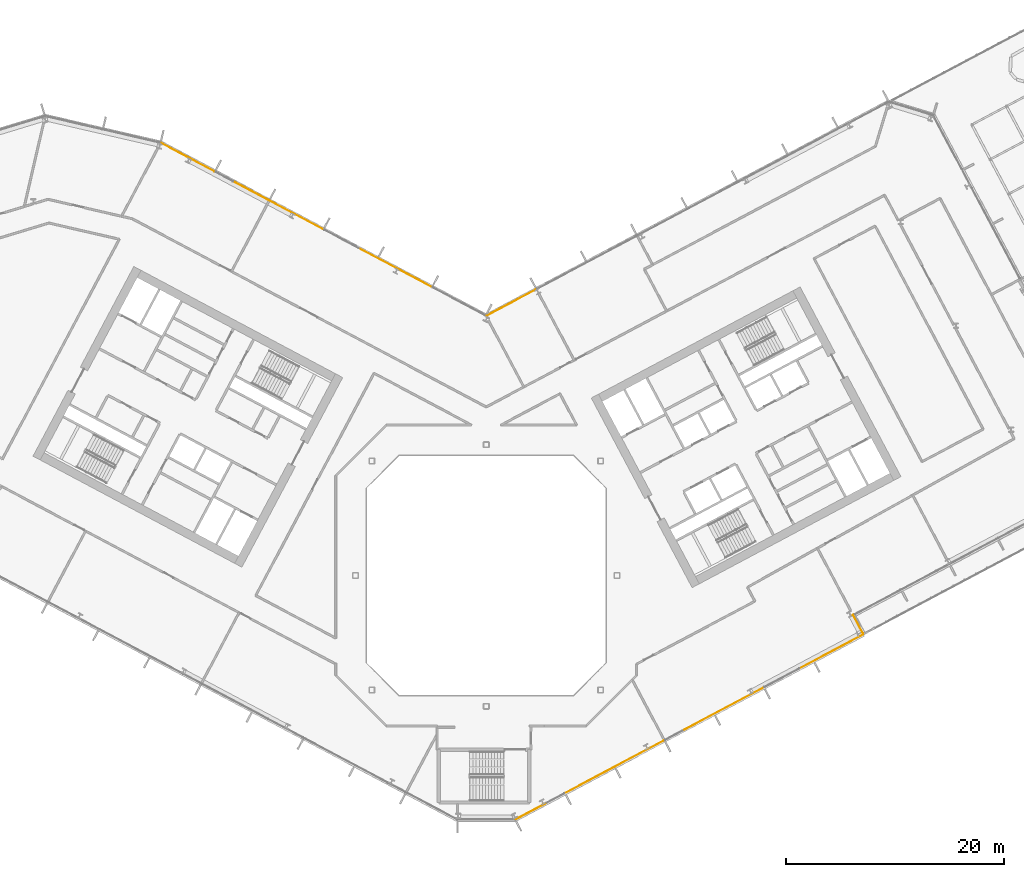
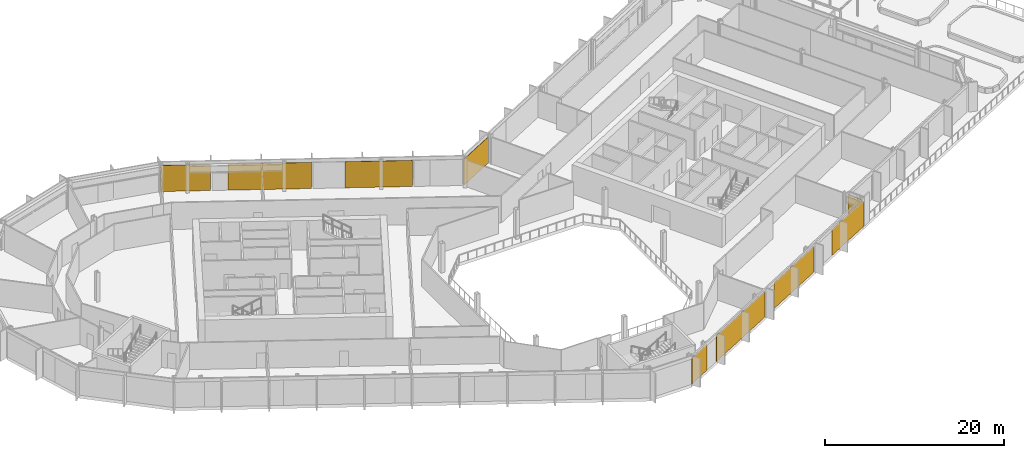
# One storey, part 29 of 34: 9 coverings, 4 elements without a shape of their own.
"""IFC4 building model written with IfcOpenShell, lengths in metres."""

from ifc_helpers import new_model, si_unit, direction, frame, origin, origin_2d, place, context, subcontext, project, spatial, rectangle, extrude, material, layer, layer_set, type_object, element, aggregate, save


model = new_model("IFC4")

# Units and contexts
model_context = context("Model", 3, precision=1e-05, world=origin(), true_north=direction((0.0, 1.0)))
body_context = subcontext(model_context, "Body", "Model", "MODEL_VIEW")
ifc_project = project(units=[si_unit("LENGTHUNIT", "METRE"), si_unit("AREAUNIT", "SQUARE_METRE"), si_unit("VOLUMEUNIT", "CUBIC_METRE"), si_unit("PLANEANGLEUNIT", "RADIAN"), si_unit("MASSUNIT", "GRAM", prefix="KILO")], contexts=[model_context])

# Site, building, storey
site_placement = place(None, origin())
site = spatial("IfcSite", under=ifc_project, at=site_placement, CompositionType="ELEMENT")
building_placement = place(site_placement, origin())
building = spatial("IfcBuilding", under=site, at=building_placement, Name="Cormorant Relay Tower", CompositionType="ELEMENT")
storey_placement = place(building_placement, frame((0.0, 0.0, 118.199951171875)))
storey = spatial("IfcBuildingStorey", under=building, at=storey_placement, Name="L23", CompositionType="ELEMENT", Elevation=118.199951171875)

# Curtain wall, coverings
ifc_material_1 = material(Name="Aluminium 6063-T6 anodised bronze", Category="aluminium")
ifc_layer_1 = layer(ifc_material_1, 0.199951171875)
ifc_layer_set_1 = layer_set([ifc_layer_1], Name="CW1 unitised bronze curtain wall with vertical fins")
curtain_wall_type = type_object("IfcCurtainWallType", Name="CW1 unitised bronze curtain wall with vertical fins", PredefinedType="NOTDEFINED", material=ifc_layer_set_1)
curtain_wall_1_placement = place(storey_placement, origin())
curtain_wall_1 = element("IfcCurtainWall", 1, at=curtain_wall_1_placement, inside=storey, type_object=curtain_wall_type, Name="CW1 curtain wall 2", PredefinedType="NOTDEFINED")
ifc_material_2 = material(Name="Pale bronze anodised aluminium insulated panel", Category="aluminium")
ifc_layer_2 = layer(ifc_material_2, 0.0400390625)
ifc_layer_set_2 = layer_set([ifc_layer_2], Name="CW1 pale bronze insulated panel 40")
covering_type = type_object("IfcCoveringType", Name="CW1 pale bronze insulated panel 40", PredefinedType="CLADDING", material=ifc_layer_set_2)
covering_1_placement = place(storey_placement, frame((4.14453125, -21.60302734375, 0.0), z_axis=(0.0, 0.0, 1.0), x_axis=(0.882947592859, 0.469471562786, 0.0)))
covering_1 = element("IfcCovering", 2, at=covering_1_placement, type_object=covering_type, Name="CW1 panel S00", PredefinedType="CLADDING", context=body_context, shape_type="SweptSolid", body=[
    extrude(rectangle(XDim=3.216552734375, YDim=0.0400390625, at=origin_2d()), origin(), (0.0, 0.0, 1.0), 3.550048828125),
])
covering_2_placement = place(storey_placement, frame((11.78173828125, -17.5419921875, 0.0), z_axis=(0.0, 0.0, 1.0), x_axis=(0.882947592859, 0.469471562786, 0.0)))
covering_2 = element("IfcCovering", 3, at=covering_2_placement, type_object=covering_type, Name="CW1 panel S02", PredefinedType="CLADDING", context=body_context, shape_type="SweptSolid", body=[
    extrude(rectangle(XDim=10.18310546875, YDim=0.0400390625, at=origin_2d()), origin(), (0.0, 0.0, 1.0), 3.550048828125),
])
covering_3_placement = place(storey_placement, frame((21.7001953125, -12.2685546875, 0.0), z_axis=(0.0, 0.0, 1.0), x_axis=(0.882947592859, 0.469471562786, 0.0)))
covering_3 = element("IfcCovering", 4, at=covering_3_placement, type_object=covering_type, Name="CW1 panel S04", PredefinedType="CLADDING", context=body_context, shape_type="SweptSolid", body=[
    extrude(rectangle(XDim=8.383056640625, YDim=0.0400390625, at=origin_2d()), origin(), (0.0, 0.0, 1.0), 3.550048828125),
])
covering_4_placement = place(storey_placement, frame((31.6513671875, -6.977294921875, 0.0), z_axis=(0.0, 0.0, 1.0), x_axis=(0.882947592859, 0.469471562786, 0.0)))
covering_4 = element("IfcCovering", 5, at=covering_4_placement, type_object=covering_type, Name="CW1 panel S06", PredefinedType="CLADDING", context=body_context, shape_type="SweptSolid", body=[
    extrude(rectangle(XDim=6.658203125, YDim=0.0400390625, at=origin_2d()), origin(), (0.0, 0.0, 1.0), 3.550048828125),
])
aggregate(curtain_wall_1, [covering_1, covering_2, covering_3, covering_4])

# Curtain wall, covering
curtain_wall_2_placement = place(storey_placement, origin())
curtain_wall_2 = element("IfcCurtainWall", 6, at=curtain_wall_2_placement, inside=storey, type_object=curtain_wall_type, Name="CW1 curtain wall 3", PredefinedType="NOTDEFINED")
covering_5_placement = place(storey_placement, frame((34.112060546875, -4.47119140625, 0.0), z_axis=(0.0, 0.0, 1.0), x_axis=(-0.469471562786, 0.882947592859, 0.0)))
covering_5 = element("IfcCovering", 7, at=covering_5_placement, type_object=covering_type, Name="CW1 panel S00", PredefinedType="CLADDING", context=body_context, shape_type="SweptSolid", body=[
    extrude(rectangle(XDim=1.925048828125, YDim=0.0400390625, at=origin_2d()), origin(), (0.0, 0.0, 1.0), 3.550048828125),
])
aggregate(curtain_wall_2, [covering_5])

curtain_wall_3_placement = place(storey_placement, origin())
curtain_wall_3 = element("IfcCurtainWall", 8, at=curtain_wall_3_placement, inside=storey, type_object=curtain_wall_type, Name="CW1 curtain wall 8", PredefinedType="NOTDEFINED")
covering_6_placement = place(storey_placement, frame((2.26611328125, 25.011474609375, 0.0), z_axis=(0.0, 0.0, 1.0), x_axis=(-0.882947592859, -0.469471562786, 0.0)))
covering_6 = element("IfcCovering", 9, at=covering_6_placement, type_object=covering_type, Name="CW1 panel S07", PredefinedType="CLADDING", context=body_context, shape_type="SweptSolid", body=[
    extrude(rectangle(XDim=5.154296875, YDim=0.0400390625, at=origin_2d()), origin(), (0.0, 0.0, 1.0), 3.550048828125),
])
aggregate(curtain_wall_3, [covering_6])

# Curtain wall, coverings
curtain_wall_4_placement = place(storey_placement, origin())
curtain_wall_4 = element("IfcCurtainWall", 10, at=curtain_wall_4_placement, inside=storey, type_object=curtain_wall_type, Name="CW1 curtain wall 9", PredefinedType="NOTDEFINED")
covering_7_placement = place(storey_placement, frame((-8.359130859375, 28.251220703125, 0.0), z_axis=(0.0, 0.0, 1.0), x_axis=(-0.882947592859, 0.469471562786, 0.0)))
covering_7 = element("IfcCovering", 11, at=covering_7_placement, type_object=covering_type, Name="CW1 panel S02", PredefinedType="CLADDING", context=body_context, shape_type="SweptSolid", body=[
    extrude(rectangle(XDim=7.528076171875, YDim=0.0400390625, at=origin_2d()), origin(), (0.0, 0.0, 1.0), 3.550048828125),
])
covering_8_placement = place(storey_placement, frame((-19.11181640625, 33.968505859375, 0.0), z_axis=(0.0, 0.0, 1.0), x_axis=(-0.882947592859, 0.469471562786, 0.0)))
covering_8 = element("IfcCovering", 12, at=covering_8_placement, type_object=covering_type, Name="CW1 panel S04", PredefinedType="CLADDING", context=body_context, shape_type="SweptSolid", body=[
    extrude(rectangle(XDim=9.327880859375, YDim=0.0400390625, at=origin_2d()), origin(), (0.0, 0.0, 1.0), 3.550048828125),
])
covering_9_placement = place(storey_placement, frame((-27.407958984375, 38.379638671875, 0.0), z_axis=(0.0, 0.0, 1.0), x_axis=(-0.882947592859, 0.469471562786, 0.0)))
covering_9 = element("IfcCovering", 13, at=covering_9_placement, type_object=covering_type, Name="CW1 panel S06", PredefinedType="CLADDING", context=body_context, shape_type="SweptSolid", body=[
    extrude(rectangle(XDim=5.56396484375, YDim=0.0400390625, at=origin_2d()), origin(), (0.0, 0.0, 1.0), 3.550048828125),
])
aggregate(curtain_wall_4, [covering_7, covering_8, covering_9])

save(model, "model.ifc")
